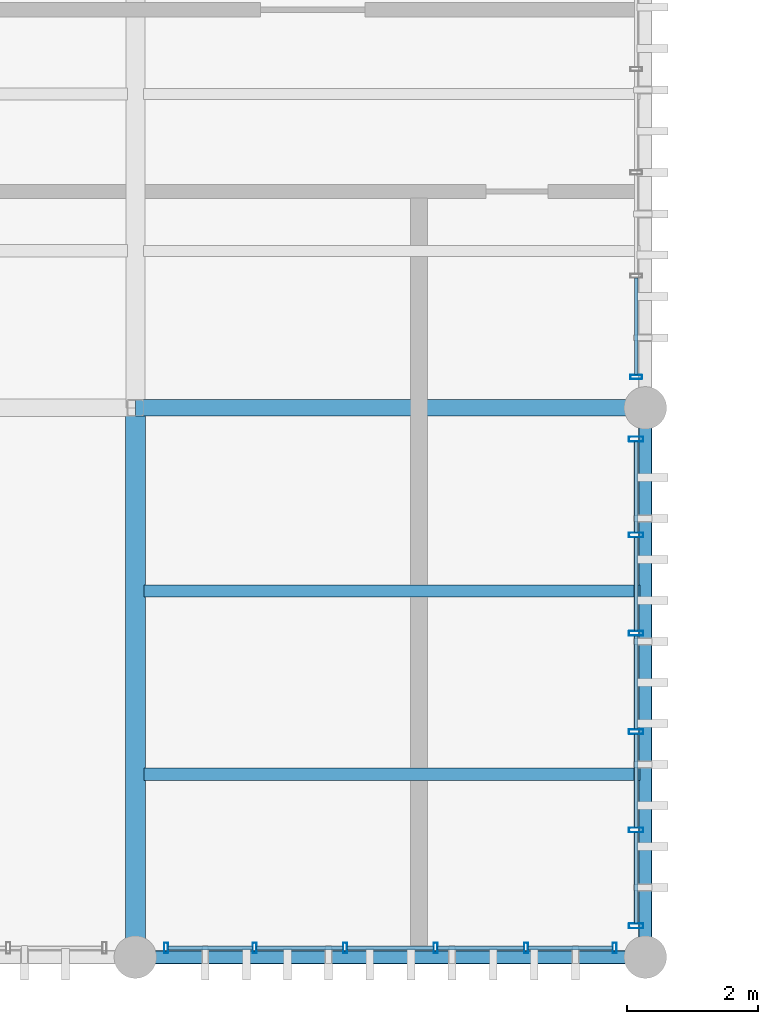
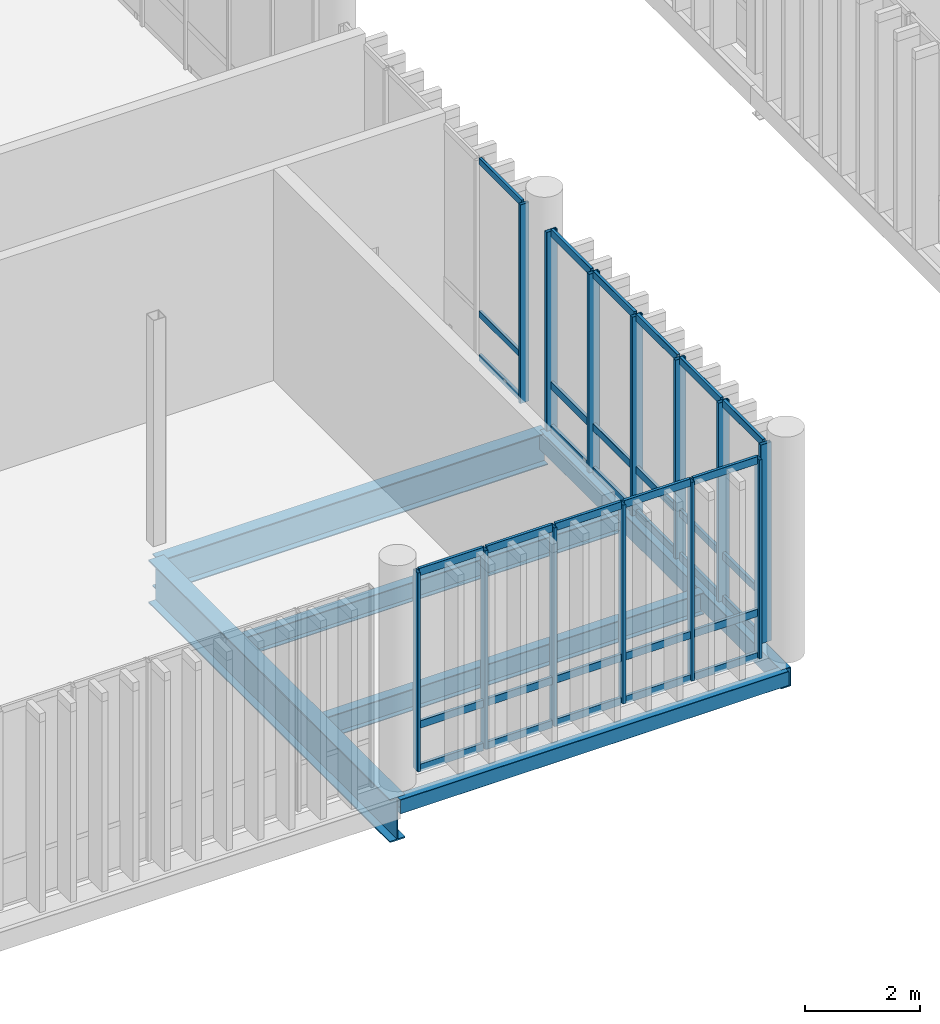
# One storey, part 20 of 86: 46 members, 6 beams, 3 elements without a shape of their own.
"""IFC4 building model written with IfcOpenShell, lengths in metres."""

from ifc_helpers import new_model, si_unit, direction, frame, origin_with_axes, origin_2d_with_axis, place, context, subcontext, project, spatial, hollow_rectangle, i_section, extrude, material, material_profile, profile_set, type_object, element, aggregate, save


model = new_model("IFC4")

# Units and contexts
model_context = context("Model", 3, precision=1e-05, world=origin_with_axes(), true_north=direction((0.0, 1.0)))
body_context = subcontext(model_context, "Body", "Model", "MODEL_VIEW")
ifc_project = project(units=[si_unit("LENGTHUNIT", "METRE"), si_unit("AREAUNIT", "SQUARE_METRE"), si_unit("VOLUMEUNIT", "CUBIC_METRE"), si_unit("PLANEANGLEUNIT", "RADIAN"), si_unit("MASSUNIT", "GRAM", prefix="KILO"), si_unit("THERMODYNAMICTEMPERATUREUNIT", "KELVIN")], contexts=[model_context])

# Site, building, storey
site_placement = place(None, origin_with_axes())
site = spatial("IfcSite", under=ifc_project, at=site_placement, CompositionType="ELEMENT")
building_placement = place(site_placement, origin_with_axes())
building = spatial("IfcBuilding", under=site, at=building_placement, Name="Montbau Bow Law Courts", CompositionType="ELEMENT")
storey_placement = place(building_placement, frame((0.0, 0.0, 29.7), z_axis=(0.0, 0.0, 1.0), x_axis=(1.0, 0.0, 0.0)))
storey = spatial("IfcBuildingStorey", under=building, at=storey_placement, Name="L06", CompositionType="ELEMENT", Elevation=29.7)

# Beams
ifc_material_1 = material(Name="Steel CSA G40.21 Grade 350W (350 MPa)", Category="steel")
ifc_material_profile_1 = material_profile(ifc_material_1, i_section(OverallWidth=0.306, OverallDepth=0.919, WebThickness=0.0173, FlangeThickness=0.0279, at=origin_2d_with_axis()), Name="W920X253", Category="Main", Priority=0)
ifc_profile_set_1 = profile_set([ifc_material_profile_1], Name="Steel CSA G40.21 Grade 350W (350 MPa)")
beam_type_1 = type_object("IfcBeamType", Name="B-FLR-01", PredefinedType="BEAM", material=ifc_profile_set_1)
beam_1_placement = place(None, frame((39.0, 30.6, 28.901), z_axis=(0.0, 1.0, 0.0), x_axis=(-1.0, 0.0, 0.0)))
element("IfcBeam", 1, at=beam_1_placement, inside=storey, type_object=beam_type_1, Name="BM-L06-S0705:bm2_0708", PredefinedType="BEAM", context=body_context, shape_type="SweptSolid", body=[
    extrude(i_section(OverallWidth=0.306, OverallDepth=0.919, WebThickness=0.0173, FlangeThickness=0.0279, at=origin_2d_with_axis()), origin_with_axes(), (0.0, 0.0, 1.0), 8.4),
])
ifc_material_profile_2 = material_profile(ifc_material_1, i_section(OverallWidth=0.254, OverallDepth=0.688, WebThickness=0.0131, FlangeThickness=0.0211, at=origin_2d_with_axis()), Name="W690X152", Category="Main", Priority=0)
ifc_profile_set_2 = profile_set([ifc_material_profile_2], Name="Steel CSA G40.21 Grade 350W (350 MPa)")
beam_type_2 = type_object("IfcBeamType", Name="B-FLR-04", PredefinedType="BEAM", material=ifc_profile_set_2)
beam_2_placement = place(None, frame((39.0, 39.0, 29.016), z_axis=(1.0, 0.0, 0.0), x_axis=(0.0, 1.0, 0.0)))
element("IfcBeam", 2, at=beam_2_placement, inside=storey, type_object=beam_type_2, Name="BM-L06-S0675:bm2_0678", PredefinedType="BEAM", context=body_context, shape_type="SweptSolid", body=[
    extrude(i_section(OverallWidth=0.254, OverallDepth=0.688, WebThickness=0.0131, FlangeThickness=0.0211, at=origin_2d_with_axis()), origin_with_axes(), (0.0, 0.0, 1.0), 7.8),
])
ifc_material_profile_3 = material_profile(ifc_material_1, i_section(OverallWidth=0.191, OverallDepth=0.46, WebThickness=0.0099, FlangeThickness=0.016, at=origin_2d_with_axis()), Name="W460X82", Category="Main", Priority=0)
ifc_profile_set_3 = profile_set([ifc_material_profile_3], Name="Steel CSA G40.21 Grade 350W (350 MPa)")
beam_type_3 = type_object("IfcBeamType", Name="B-JST-01", PredefinedType="JOIST", material=ifc_profile_set_3)
beam_3_placement = place(None, frame((39.129, 33.4, 29.13), z_axis=(1.0, 0.0, 0.0), x_axis=(0.0, 1.0, 0.0)))
element("IfcBeam", 3, at=beam_3_placement, inside=storey, type_object=beam_type_3, Name="JST-L06-S0352:jst2_0352", PredefinedType="JOIST", context=body_context, shape_type="SweptSolid", body=[
    extrude(i_section(OverallWidth=0.191, OverallDepth=0.46, WebThickness=0.0099, FlangeThickness=0.016, at=origin_2d_with_axis()), origin_with_axes(), (0.0, 0.0, 1.0), 7.591),
])
ifc_material_profile_4 = material_profile(ifc_material_1, i_section(OverallWidth=0.179, OverallDepth=0.41, WebThickness=0.0088, FlangeThickness=0.0144, at=origin_2d_with_axis()), Name="W410X67", Category="Main", Priority=0)
ifc_profile_set_4 = profile_set([ifc_material_profile_4], Name="Steel CSA G40.21 Grade 350W (350 MPa)")
beam_type_4 = type_object("IfcBeamType", Name="B-JST-02", PredefinedType="JOIST", material=ifc_profile_set_4)
beam_4_placement = place(None, frame((39.129, 36.2, 29.155), z_axis=(1.0, 0.0, 0.0), x_axis=(0.0, 1.0, 0.0)))
element("IfcBeam", 4, at=beam_4_placement, inside=storey, type_object=beam_type_4, Name="JST-L06-S0353:jst2_0353", PredefinedType="JOIST", context=body_context, shape_type="SweptSolid", body=[
    extrude(i_section(OverallWidth=0.179, OverallDepth=0.41, WebThickness=0.0088, FlangeThickness=0.0144, at=origin_2d_with_axis()), origin_with_axes(), (0.0, 0.0, 1.0), 7.591),
])
ifc_material_2 = material(Name="Steel CSA G40.21 Grade 350WT (350 MPa)", Category="steel")
ifc_material_profile_5 = material_profile(ifc_material_2, hollow_rectangle(XDim=0.203, YDim=0.406, WallThickness=0.0127, InnerFilletRadius=0.0254, OuterFilletRadius=0.0127, at=origin_2d_with_axis()), Name="HSS406X203X13", Category="Main", Priority=0)
ifc_profile_set_5 = profile_set([ifc_material_profile_5], Name="Steel CSA G40.21 Grade 350WT (350 MPa)")
beam_type_5 = type_object("IfcBeamType", Name="B-SPN-01", PredefinedType="SPANDREL", material=ifc_profile_set_5)
beam_5_placement = place(None, frame((46.8, 30.6, 29.157), z_axis=(0.0, 1.0, 0.0), x_axis=(-1.0, 0.0, 0.0)))
element("IfcBeam", 5, at=beam_5_placement, inside=storey, type_object=beam_type_5, Name="SPN-L06-S0709:bm2_0712", PredefinedType="SPANDREL", context=body_context, shape_type="SweptSolid", body=[
    extrude(hollow_rectangle(XDim=0.203, YDim=0.406, WallThickness=0.0127, InnerFilletRadius=0.0254, OuterFilletRadius=0.0127, at=origin_2d_with_axis()), origin_with_axes(), (0.0, 0.0, 1.0), 8.4),
])
ifc_material_profile_6 = material_profile(ifc_material_2, hollow_rectangle(XDim=0.203, YDim=0.305, WallThickness=0.0127, InnerFilletRadius=0.0254, OuterFilletRadius=0.0127, at=origin_2d_with_axis()), Name="HSS305X203X13", Category="Main", Priority=0)
ifc_profile_set_6 = profile_set([ifc_material_profile_6], Name="Steel CSA G40.21 Grade 350WT (350 MPa)")
beam_type_6 = type_object("IfcBeamType", Name="B-SPN-02", PredefinedType="SPANDREL", material=ifc_profile_set_6)
beam_6_placement = place(None, frame((39.0, 30.6, 29.207), z_axis=(1.0, 0.0, 0.0), x_axis=(0.0, 1.0, 0.0)))
element("IfcBeam", 6, at=beam_6_placement, inside=storey, type_object=beam_type_6, Name="SPN-L06-S0670:bm2_0673", PredefinedType="SPANDREL", context=body_context, shape_type="SweptSolid", body=[
    extrude(hollow_rectangle(XDim=0.203, YDim=0.305, WallThickness=0.0127, InnerFilletRadius=0.0254, OuterFilletRadius=0.0127, at=origin_2d_with_axis()), origin_with_axes(), (0.0, 0.0, 1.0), 7.8),
])

# Curtain wall, members
ifc_material_3 = material(Name="Thermally Broken Extruded Aluminium AA 6063-T6", Category="aluminium")
curtain_wall_type = type_object("IfcCurtainWallType", Name="CW-TRC-02", PredefinedType="NOTDEFINED", material=ifc_material_3)
curtain_wall_1_placement = place(None, frame((46.66, 31.04, 29.7), z_axis=(0.0, 0.0, 1.0), x_axis=(1.0, 0.0, 0.0)))
curtain_wall_1 = element("IfcCurtainWall", 7, at=curtain_wall_1_placement, inside=storey, type_object=curtain_wall_type, Name="CW-L06-108:cw_0108", PredefinedType="NOTDEFINED")
ifc_material_profile_7 = material_profile(ifc_material_3, hollow_rectangle(XDim=0.075, YDim=0.22, WallThickness=0.005, InnerFilletRadius=0.01, OuterFilletRadius=0.005, at=origin_2d_with_axis()), Name="CWM-220X75", Category="Main", Priority=0)
ifc_profile_set_7 = profile_set([ifc_material_profile_7], Name="Thermally Broken Extruded Aluminium AA 6063-T6")
member_type_1 = type_object("IfcMemberType", Name="M-MUL-01", PredefinedType="MULLION", material=ifc_profile_set_7)
member_1_placement = place(None, frame((46.66, 31.077, 29.7), z_axis=(0.0, 0.0, 1.0), x_axis=(0.0, 1.0, 0.0)))
member_1 = element("IfcMember", 8, at=member_1_placement, type_object=member_type_1, Name="CW-L06-108-M01:cw_0108_M01", PredefinedType="MULLION", context=body_context, shape_type="SweptSolid", body=[
    extrude(hollow_rectangle(XDim=0.075, YDim=0.22, WallThickness=0.005, InnerFilletRadius=0.01, OuterFilletRadius=0.005, at=origin_2d_with_axis()), origin_with_axes(), (0.0, 0.0, 1.0), 4.22),
])
member_2_placement = place(None, frame((46.66, 32.544, 29.7), z_axis=(0.0, 0.0, 1.0), x_axis=(0.0, 1.0, 0.0)))
member_2 = element("IfcMember", 9, at=member_2_placement, type_object=member_type_1, Name="CW-L06-108-M02:cw_0108_M02", PredefinedType="MULLION", context=body_context, shape_type="SweptSolid", body=[
    extrude(hollow_rectangle(XDim=0.075, YDim=0.22, WallThickness=0.005, InnerFilletRadius=0.01, OuterFilletRadius=0.005, at=origin_2d_with_axis()), origin_with_axes(), (0.0, 0.0, 1.0), 4.22),
])
member_3_placement = place(None, frame((46.66, 34.048, 29.7), z_axis=(0.0, 0.0, 1.0), x_axis=(0.0, 1.0, 0.0)))
member_3 = element("IfcMember", 10, at=member_3_placement, type_object=member_type_1, Name="CW-L06-108-M03:cw_0108_M03", PredefinedType="MULLION", context=body_context, shape_type="SweptSolid", body=[
    extrude(hollow_rectangle(XDim=0.075, YDim=0.22, WallThickness=0.005, InnerFilletRadius=0.01, OuterFilletRadius=0.005, at=origin_2d_with_axis()), origin_with_axes(), (0.0, 0.0, 1.0), 4.22),
])
member_4_placement = place(None, frame((46.66, 35.552, 29.7), z_axis=(0.0, 0.0, 1.0), x_axis=(0.0, 1.0, 0.0)))
member_4 = element("IfcMember", 11, at=member_4_placement, type_object=member_type_1, Name="CW-L06-108-M04:cw_0108_M04", PredefinedType="MULLION", context=body_context, shape_type="SweptSolid", body=[
    extrude(hollow_rectangle(XDim=0.075, YDim=0.22, WallThickness=0.005, InnerFilletRadius=0.01, OuterFilletRadius=0.005, at=origin_2d_with_axis()), origin_with_axes(), (0.0, 0.0, 1.0), 4.22),
])
member_5_placement = place(None, frame((46.66, 37.056, 29.7), z_axis=(0.0, 0.0, 1.0), x_axis=(0.0, 1.0, 0.0)))
member_5 = element("IfcMember", 12, at=member_5_placement, type_object=member_type_1, Name="CW-L06-108-M05:cw_0108_M05", PredefinedType="MULLION", context=body_context, shape_type="SweptSolid", body=[
    extrude(hollow_rectangle(XDim=0.075, YDim=0.22, WallThickness=0.005, InnerFilletRadius=0.01, OuterFilletRadius=0.005, at=origin_2d_with_axis()), origin_with_axes(), (0.0, 0.0, 1.0), 4.22),
])
member_6_placement = place(None, frame((46.66, 38.523, 29.7), z_axis=(0.0, 0.0, 1.0), x_axis=(0.0, 1.0, 0.0)))
member_6 = element("IfcMember", 13, at=member_6_placement, type_object=member_type_1, Name="CW-L06-108-M06:cw_0108_M06", PredefinedType="MULLION", context=body_context, shape_type="SweptSolid", body=[
    extrude(hollow_rectangle(XDim=0.075, YDim=0.22, WallThickness=0.005, InnerFilletRadius=0.01, OuterFilletRadius=0.005, at=origin_2d_with_axis()), origin_with_axes(), (0.0, 0.0, 1.0), 4.22),
])

# Curtain wall, member
curtain_wall_2_placement = place(None, frame((46.66, 39.44, 29.7), z_axis=(0.0, 0.0, 1.0), x_axis=(1.0, 0.0, 0.0)))
curtain_wall_2 = element("IfcCurtainWall", 14, at=curtain_wall_2_placement, inside=storey, type_object=curtain_wall_type, Name="CW-L06-109:cw_0109", PredefinedType="NOTDEFINED")
ifc_material_profile_8 = material_profile(ifc_material_3, hollow_rectangle(XDim=0.065, YDim=0.18, WallThickness=0.005, InnerFilletRadius=0.01, OuterFilletRadius=0.005, at=origin_2d_with_axis()), Name="CWM-180X65", Category="Main", Priority=0)
ifc_profile_set_8 = profile_set([ifc_material_profile_8], Name="Thermally Broken Extruded Aluminium AA 6063-T6")
member_type_2 = type_object("IfcMemberType", Name="M-MUL-02", PredefinedType="MULLION", material=ifc_profile_set_8)
member_7_placement = place(None, frame((46.66, 39.473, 29.7), z_axis=(0.0, 0.0, 1.0), x_axis=(0.0, 1.0, 0.0)))
member_7 = element("IfcMember", 15, at=member_7_placement, type_object=member_type_2, Name="CW-L06-109-M01:cw_0109_M01", PredefinedType="MULLION", context=body_context, shape_type="SweptSolid", body=[
    extrude(hollow_rectangle(XDim=0.065, YDim=0.18, WallThickness=0.005, InnerFilletRadius=0.01, OuterFilletRadius=0.005, at=origin_2d_with_axis()), origin_with_axes(), (0.0, 0.0, 1.0), 4.22),
])

# Curtain wall, members
curtain_wall_3_placement = place(None, frame((39.44, 30.74, 29.7), z_axis=(0.0, 0.0, 1.0), x_axis=(1.0, 0.0, 0.0)))
curtain_wall_3 = element("IfcCurtainWall", 16, at=curtain_wall_3_placement, inside=storey, type_object=curtain_wall_type, Name="CW-L06-098:cw_0098", PredefinedType="NOTDEFINED")
ifc_material_profile_9 = material_profile(ifc_material_3, hollow_rectangle(XDim=0.06, YDim=0.16, WallThickness=0.004, InnerFilletRadius=0.008, OuterFilletRadius=0.004, at=origin_2d_with_axis()), Name="CWM-160X60", Category="Main", Priority=0)
ifc_profile_set_9 = profile_set([ifc_material_profile_9], Name="Thermally Broken Extruded Aluminium AA 6063-T6")
member_type_3 = type_object("IfcMemberType", Name="M-MUL-03", PredefinedType="MULLION", material=ifc_profile_set_9)
member_8_placement = place(None, frame((39.47, 30.74, 29.7), z_axis=(0.0, 0.0, 1.0), x_axis=(1.0, 0.0, 0.0)))
member_8 = element("IfcMember", 17, at=member_8_placement, type_object=member_type_3, Name="CW-L06-098-M01:cw_0098_M01", PredefinedType="MULLION", context=body_context, shape_type="SweptSolid", body=[
    extrude(hollow_rectangle(XDim=0.06, YDim=0.16, WallThickness=0.004, InnerFilletRadius=0.008, OuterFilletRadius=0.004, at=origin_2d_with_axis()), origin_with_axes(), (0.0, 0.0, 1.0), 4.22),
])
member_9_placement = place(None, frame((40.824, 30.74, 29.7), z_axis=(0.0, 0.0, 1.0), x_axis=(1.0, 0.0, 0.0)))
member_9 = element("IfcMember", 18, at=member_9_placement, type_object=member_type_3, Name="CW-L06-098-M02:cw_0098_M02", PredefinedType="MULLION", context=body_context, shape_type="SweptSolid", body=[
    extrude(hollow_rectangle(XDim=0.06, YDim=0.16, WallThickness=0.004, InnerFilletRadius=0.008, OuterFilletRadius=0.004, at=origin_2d_with_axis()), origin_with_axes(), (0.0, 0.0, 1.0), 4.22),
])
member_10_placement = place(None, frame((42.208, 30.74, 29.7), z_axis=(0.0, 0.0, 1.0), x_axis=(1.0, 0.0, 0.0)))
member_10 = element("IfcMember", 19, at=member_10_placement, type_object=member_type_3, Name="CW-L06-098-M03:cw_0098_M03", PredefinedType="MULLION", context=body_context, shape_type="SweptSolid", body=[
    extrude(hollow_rectangle(XDim=0.06, YDim=0.16, WallThickness=0.004, InnerFilletRadius=0.008, OuterFilletRadius=0.004, at=origin_2d_with_axis()), origin_with_axes(), (0.0, 0.0, 1.0), 4.22),
])
member_11_placement = place(None, frame((43.592, 30.74, 29.7), z_axis=(0.0, 0.0, 1.0), x_axis=(1.0, 0.0, 0.0)))
member_11 = element("IfcMember", 20, at=member_11_placement, type_object=member_type_3, Name="CW-L06-098-M04:cw_0098_M04", PredefinedType="MULLION", context=body_context, shape_type="SweptSolid", body=[
    extrude(hollow_rectangle(XDim=0.06, YDim=0.16, WallThickness=0.004, InnerFilletRadius=0.008, OuterFilletRadius=0.004, at=origin_2d_with_axis()), origin_with_axes(), (0.0, 0.0, 1.0), 4.22),
])
member_12_placement = place(None, frame((44.976, 30.74, 29.7), z_axis=(0.0, 0.0, 1.0), x_axis=(1.0, 0.0, 0.0)))
member_12 = element("IfcMember", 21, at=member_12_placement, type_object=member_type_3, Name="CW-L06-098-M05:cw_0098_M05", PredefinedType="MULLION", context=body_context, shape_type="SweptSolid", body=[
    extrude(hollow_rectangle(XDim=0.06, YDim=0.16, WallThickness=0.004, InnerFilletRadius=0.008, OuterFilletRadius=0.004, at=origin_2d_with_axis()), origin_with_axes(), (0.0, 0.0, 1.0), 4.22),
])
member_13_placement = place(None, frame((46.33, 30.74, 29.7), z_axis=(0.0, 0.0, 1.0), x_axis=(1.0, 0.0, 0.0)))
member_13 = element("IfcMember", 22, at=member_13_placement, type_object=member_type_3, Name="CW-L06-098-M06:cw_0098_M06", PredefinedType="MULLION", context=body_context, shape_type="SweptSolid", body=[
    extrude(hollow_rectangle(XDim=0.06, YDim=0.16, WallThickness=0.004, InnerFilletRadius=0.008, OuterFilletRadius=0.004, at=origin_2d_with_axis()), origin_with_axes(), (0.0, 0.0, 1.0), 4.22),
])
ifc_material_profile_10 = material_profile(ifc_material_3, hollow_rectangle(XDim=0.06, YDim=0.16, WallThickness=0.004, InnerFilletRadius=0.008, OuterFilletRadius=0.004, at=origin_2d_with_axis()), Name="CWT-160X60", Category="Main", Priority=0)
ifc_profile_set_10 = profile_set([ifc_material_profile_10], Name="Thermally Broken Extruded Aluminium AA 6063-T6")
member_type_4 = type_object("IfcMemberType", Name="M-TRN-01", PredefinedType="USERDEFINED", material=ifc_profile_set_10)
member_14_placement = place(None, frame((39.502, 30.74, 29.73), z_axis=(1.0, 0.0, 0.0), x_axis=(0.0, 1.0, 0.0)))
member_14 = element("IfcMember", 23, at=member_14_placement, type_object=member_type_4, Name="CW-L06-098-T01-1:cw_0098_T01_1", ObjectType="TRANSOM", PredefinedType="USERDEFINED", context=body_context, shape_type="SweptSolid", body=[
    extrude(hollow_rectangle(XDim=0.06, YDim=0.16, WallThickness=0.004, InnerFilletRadius=0.008, OuterFilletRadius=0.004, at=origin_2d_with_axis()), origin_with_axes(), (0.0, 0.0, 1.0), 1.29),
])
member_15_placement = place(None, frame((39.502, 30.74, 30.65), z_axis=(1.0, 0.0, 0.0), x_axis=(0.0, 1.0, 0.0)))
member_15 = element("IfcMember", 24, at=member_15_placement, type_object=member_type_4, Name="CW-L06-098-T01-2:cw_0098_T01_2", ObjectType="TRANSOM", PredefinedType="USERDEFINED", context=body_context, shape_type="SweptSolid", body=[
    extrude(hollow_rectangle(XDim=0.06, YDim=0.16, WallThickness=0.004, InnerFilletRadius=0.008, OuterFilletRadius=0.004, at=origin_2d_with_axis()), origin_with_axes(), (0.0, 0.0, 1.0), 1.29),
])
member_16_placement = place(None, frame((39.502, 30.74, 33.89), z_axis=(1.0, 0.0, 0.0), x_axis=(0.0, 1.0, 0.0)))
member_16 = element("IfcMember", 25, at=member_16_placement, type_object=member_type_4, Name="CW-L06-098-T01-3:cw_0098_T01_3", ObjectType="TRANSOM", PredefinedType="USERDEFINED", context=body_context, shape_type="SweptSolid", body=[
    extrude(hollow_rectangle(XDim=0.06, YDim=0.16, WallThickness=0.004, InnerFilletRadius=0.008, OuterFilletRadius=0.004, at=origin_2d_with_axis()), origin_with_axes(), (0.0, 0.0, 1.0), 1.29),
])
member_17_placement = place(None, frame((40.856, 30.74, 29.73), z_axis=(1.0, 0.0, 0.0), x_axis=(0.0, 1.0, 0.0)))
member_17 = element("IfcMember", 26, at=member_17_placement, type_object=member_type_4, Name="CW-L06-098-T02-1:cw_0098_T02_1", ObjectType="TRANSOM", PredefinedType="USERDEFINED", context=body_context, shape_type="SweptSolid", body=[
    extrude(hollow_rectangle(XDim=0.06, YDim=0.16, WallThickness=0.004, InnerFilletRadius=0.008, OuterFilletRadius=0.004, at=origin_2d_with_axis()), origin_with_axes(), (0.0, 0.0, 1.0), 1.32),
])
member_18_placement = place(None, frame((40.856, 30.74, 30.65), z_axis=(1.0, 0.0, 0.0), x_axis=(0.0, 1.0, 0.0)))
member_18 = element("IfcMember", 27, at=member_18_placement, type_object=member_type_4, Name="CW-L06-098-T02-2:cw_0098_T02_2", ObjectType="TRANSOM", PredefinedType="USERDEFINED", context=body_context, shape_type="SweptSolid", body=[
    extrude(hollow_rectangle(XDim=0.06, YDim=0.16, WallThickness=0.004, InnerFilletRadius=0.008, OuterFilletRadius=0.004, at=origin_2d_with_axis()), origin_with_axes(), (0.0, 0.0, 1.0), 1.32),
])
member_19_placement = place(None, frame((40.856, 30.74, 33.89), z_axis=(1.0, 0.0, 0.0), x_axis=(0.0, 1.0, 0.0)))
member_19 = element("IfcMember", 28, at=member_19_placement, type_object=member_type_4, Name="CW-L06-098-T02-3:cw_0098_T02_3", ObjectType="TRANSOM", PredefinedType="USERDEFINED", context=body_context, shape_type="SweptSolid", body=[
    extrude(hollow_rectangle(XDim=0.06, YDim=0.16, WallThickness=0.004, InnerFilletRadius=0.008, OuterFilletRadius=0.004, at=origin_2d_with_axis()), origin_with_axes(), (0.0, 0.0, 1.0), 1.32),
])
member_20_placement = place(None, frame((42.24, 30.74, 29.73), z_axis=(1.0, 0.0, 0.0), x_axis=(0.0, 1.0, 0.0)))
member_20 = element("IfcMember", 29, at=member_20_placement, type_object=member_type_4, Name="CW-L06-098-T03-1:cw_0098_T03_1", ObjectType="TRANSOM", PredefinedType="USERDEFINED", context=body_context, shape_type="SweptSolid", body=[
    extrude(hollow_rectangle(XDim=0.06, YDim=0.16, WallThickness=0.004, InnerFilletRadius=0.008, OuterFilletRadius=0.004, at=origin_2d_with_axis()), origin_with_axes(), (0.0, 0.0, 1.0), 1.32),
])
member_21_placement = place(None, frame((42.24, 30.74, 30.65), z_axis=(1.0, 0.0, 0.0), x_axis=(0.0, 1.0, 0.0)))
member_21 = element("IfcMember", 30, at=member_21_placement, type_object=member_type_4, Name="CW-L06-098-T03-2:cw_0098_T03_2", ObjectType="TRANSOM", PredefinedType="USERDEFINED", context=body_context, shape_type="SweptSolid", body=[
    extrude(hollow_rectangle(XDim=0.06, YDim=0.16, WallThickness=0.004, InnerFilletRadius=0.008, OuterFilletRadius=0.004, at=origin_2d_with_axis()), origin_with_axes(), (0.0, 0.0, 1.0), 1.32),
])
member_22_placement = place(None, frame((42.24, 30.74, 33.89), z_axis=(1.0, 0.0, 0.0), x_axis=(0.0, 1.0, 0.0)))
member_22 = element("IfcMember", 31, at=member_22_placement, type_object=member_type_4, Name="CW-L06-098-T03-3:cw_0098_T03_3", ObjectType="TRANSOM", PredefinedType="USERDEFINED", context=body_context, shape_type="SweptSolid", body=[
    extrude(hollow_rectangle(XDim=0.06, YDim=0.16, WallThickness=0.004, InnerFilletRadius=0.008, OuterFilletRadius=0.004, at=origin_2d_with_axis()), origin_with_axes(), (0.0, 0.0, 1.0), 1.32),
])
member_23_placement = place(None, frame((43.624, 30.74, 29.73), z_axis=(1.0, 0.0, 0.0), x_axis=(0.0, 1.0, 0.0)))
member_23 = element("IfcMember", 32, at=member_23_placement, type_object=member_type_4, Name="CW-L06-098-T04-1:cw_0098_T04_1", ObjectType="TRANSOM", PredefinedType="USERDEFINED", context=body_context, shape_type="SweptSolid", body=[
    extrude(hollow_rectangle(XDim=0.06, YDim=0.16, WallThickness=0.004, InnerFilletRadius=0.008, OuterFilletRadius=0.004, at=origin_2d_with_axis()), origin_with_axes(), (0.0, 0.0, 1.0), 1.32),
])
member_24_placement = place(None, frame((43.624, 30.74, 30.65), z_axis=(1.0, 0.0, 0.0), x_axis=(0.0, 1.0, 0.0)))
member_24 = element("IfcMember", 33, at=member_24_placement, type_object=member_type_4, Name="CW-L06-098-T04-2:cw_0098_T04_2", ObjectType="TRANSOM", PredefinedType="USERDEFINED", context=body_context, shape_type="SweptSolid", body=[
    extrude(hollow_rectangle(XDim=0.06, YDim=0.16, WallThickness=0.004, InnerFilletRadius=0.008, OuterFilletRadius=0.004, at=origin_2d_with_axis()), origin_with_axes(), (0.0, 0.0, 1.0), 1.32),
])
member_25_placement = place(None, frame((43.624, 30.74, 33.89), z_axis=(1.0, 0.0, 0.0), x_axis=(0.0, 1.0, 0.0)))
member_25 = element("IfcMember", 34, at=member_25_placement, type_object=member_type_4, Name="CW-L06-098-T04-3:cw_0098_T04_3", ObjectType="TRANSOM", PredefinedType="USERDEFINED", context=body_context, shape_type="SweptSolid", body=[
    extrude(hollow_rectangle(XDim=0.06, YDim=0.16, WallThickness=0.004, InnerFilletRadius=0.008, OuterFilletRadius=0.004, at=origin_2d_with_axis()), origin_with_axes(), (0.0, 0.0, 1.0), 1.32),
])
member_26_placement = place(None, frame((45.008, 30.74, 29.73), z_axis=(1.0, 0.0, 0.0), x_axis=(0.0, 1.0, 0.0)))
member_26 = element("IfcMember", 35, at=member_26_placement, type_object=member_type_4, Name="CW-L06-098-T05-1:cw_0098_T05_1", ObjectType="TRANSOM", PredefinedType="USERDEFINED", context=body_context, shape_type="SweptSolid", body=[
    extrude(hollow_rectangle(XDim=0.06, YDim=0.16, WallThickness=0.004, InnerFilletRadius=0.008, OuterFilletRadius=0.004, at=origin_2d_with_axis()), origin_with_axes(), (0.0, 0.0, 1.0), 1.29),
])
member_27_placement = place(None, frame((45.008, 30.74, 30.65), z_axis=(1.0, 0.0, 0.0), x_axis=(0.0, 1.0, 0.0)))
member_27 = element("IfcMember", 36, at=member_27_placement, type_object=member_type_4, Name="CW-L06-098-T05-2:cw_0098_T05_2", ObjectType="TRANSOM", PredefinedType="USERDEFINED", context=body_context, shape_type="SweptSolid", body=[
    extrude(hollow_rectangle(XDim=0.06, YDim=0.16, WallThickness=0.004, InnerFilletRadius=0.008, OuterFilletRadius=0.004, at=origin_2d_with_axis()), origin_with_axes(), (0.0, 0.0, 1.0), 1.29),
])
member_28_placement = place(None, frame((45.008, 30.74, 33.89), z_axis=(1.0, 0.0, 0.0), x_axis=(0.0, 1.0, 0.0)))
member_28 = element("IfcMember", 37, at=member_28_placement, type_object=member_type_4, Name="CW-L06-098-T05-3:cw_0098_T05_3", ObjectType="TRANSOM", PredefinedType="USERDEFINED", context=body_context, shape_type="SweptSolid", body=[
    extrude(hollow_rectangle(XDim=0.06, YDim=0.16, WallThickness=0.004, InnerFilletRadius=0.008, OuterFilletRadius=0.004, at=origin_2d_with_axis()), origin_with_axes(), (0.0, 0.0, 1.0), 1.29),
])
aggregate(curtain_wall_3, [member_8, member_9, member_10, member_11, member_12, member_13, member_14, member_15, member_16, member_17, member_18, member_19, member_20, member_21, member_22, member_23, member_24, member_25, member_26, member_27, member_28])

# Member
member_29_placement = place(None, frame((46.66, 31.116, 29.73), z_axis=(0.0, 1.0, 0.0), x_axis=(-1.0, 0.0, 0.0)))
member_29 = element("IfcMember", 38, at=member_29_placement, type_object=member_type_4, Name="CW-L06-108-T01-1:cw_0108_T01_1", ObjectType="TRANSOM", PredefinedType="USERDEFINED", context=body_context, shape_type="SweptSolid", body=[
    extrude(hollow_rectangle(XDim=0.06, YDim=0.16, WallThickness=0.004, InnerFilletRadius=0.008, OuterFilletRadius=0.004, at=origin_2d_with_axis()), origin_with_axes(), (0.0, 0.0, 1.0), 1.388),
])

member_30_placement = place(None, frame((46.66, 31.116, 30.65), z_axis=(0.0, 1.0, 0.0), x_axis=(-1.0, 0.0, 0.0)))
member_30 = element("IfcMember", 39, at=member_30_placement, type_object=member_type_4, Name="CW-L06-108-T01-2:cw_0108_T01_2", ObjectType="TRANSOM", PredefinedType="USERDEFINED", context=body_context, shape_type="SweptSolid", body=[
    extrude(hollow_rectangle(XDim=0.06, YDim=0.16, WallThickness=0.004, InnerFilletRadius=0.008, OuterFilletRadius=0.004, at=origin_2d_with_axis()), origin_with_axes(), (0.0, 0.0, 1.0), 1.388),
])

member_31_placement = place(None, frame((46.66, 31.116, 33.89), z_axis=(0.0, 1.0, 0.0), x_axis=(-1.0, 0.0, 0.0)))
member_31 = element("IfcMember", 40, at=member_31_placement, type_object=member_type_4, Name="CW-L06-108-T01-3:cw_0108_T01_3", ObjectType="TRANSOM", PredefinedType="USERDEFINED", context=body_context, shape_type="SweptSolid", body=[
    extrude(hollow_rectangle(XDim=0.06, YDim=0.16, WallThickness=0.004, InnerFilletRadius=0.008, OuterFilletRadius=0.004, at=origin_2d_with_axis()), origin_with_axes(), (0.0, 0.0, 1.0), 1.388),
])

member_32_placement = place(None, frame((46.66, 32.584, 29.73), z_axis=(0.0, 1.0, 0.0), x_axis=(-1.0, 0.0, 0.0)))
member_32 = element("IfcMember", 41, at=member_32_placement, type_object=member_type_4, Name="CW-L06-108-T02-1:cw_0108_T02_1", ObjectType="TRANSOM", PredefinedType="USERDEFINED", context=body_context, shape_type="SweptSolid", body=[
    extrude(hollow_rectangle(XDim=0.06, YDim=0.16, WallThickness=0.004, InnerFilletRadius=0.008, OuterFilletRadius=0.004, at=origin_2d_with_axis()), origin_with_axes(), (0.0, 0.0, 1.0), 1.425),
])

member_33_placement = place(None, frame((46.66, 32.584, 30.65), z_axis=(0.0, 1.0, 0.0), x_axis=(-1.0, 0.0, 0.0)))
member_33 = element("IfcMember", 42, at=member_33_placement, type_object=member_type_4, Name="CW-L06-108-T02-2:cw_0108_T02_2", ObjectType="TRANSOM", PredefinedType="USERDEFINED", context=body_context, shape_type="SweptSolid", body=[
    extrude(hollow_rectangle(XDim=0.06, YDim=0.16, WallThickness=0.004, InnerFilletRadius=0.008, OuterFilletRadius=0.004, at=origin_2d_with_axis()), origin_with_axes(), (0.0, 0.0, 1.0), 1.425),
])

member_34_placement = place(None, frame((46.66, 32.584, 33.89), z_axis=(0.0, 1.0, 0.0), x_axis=(-1.0, 0.0, 0.0)))
member_34 = element("IfcMember", 43, at=member_34_placement, type_object=member_type_4, Name="CW-L06-108-T02-3:cw_0108_T02_3", ObjectType="TRANSOM", PredefinedType="USERDEFINED", context=body_context, shape_type="SweptSolid", body=[
    extrude(hollow_rectangle(XDim=0.06, YDim=0.16, WallThickness=0.004, InnerFilletRadius=0.008, OuterFilletRadius=0.004, at=origin_2d_with_axis()), origin_with_axes(), (0.0, 0.0, 1.0), 1.425),
])

member_35_placement = place(None, frame((46.66, 34.087, 29.73), z_axis=(0.0, 1.0, 0.0), x_axis=(-1.0, 0.0, 0.0)))
member_35 = element("IfcMember", 44, at=member_35_placement, type_object=member_type_4, Name="CW-L06-108-T03-1:cw_0108_T03_1", ObjectType="TRANSOM", PredefinedType="USERDEFINED", context=body_context, shape_type="SweptSolid", body=[
    extrude(hollow_rectangle(XDim=0.06, YDim=0.16, WallThickness=0.004, InnerFilletRadius=0.008, OuterFilletRadius=0.004, at=origin_2d_with_axis()), origin_with_axes(), (0.0, 0.0, 1.0), 1.426),
])

member_36_placement = place(None, frame((46.66, 34.087, 30.65), z_axis=(0.0, 1.0, 0.0), x_axis=(-1.0, 0.0, 0.0)))
member_36 = element("IfcMember", 45, at=member_36_placement, type_object=member_type_4, Name="CW-L06-108-T03-2:cw_0108_T03_2", ObjectType="TRANSOM", PredefinedType="USERDEFINED", context=body_context, shape_type="SweptSolid", body=[
    extrude(hollow_rectangle(XDim=0.06, YDim=0.16, WallThickness=0.004, InnerFilletRadius=0.008, OuterFilletRadius=0.004, at=origin_2d_with_axis()), origin_with_axes(), (0.0, 0.0, 1.0), 1.426),
])

member_37_placement = place(None, frame((46.66, 34.087, 33.89), z_axis=(0.0, 1.0, 0.0), x_axis=(-1.0, 0.0, 0.0)))
member_37 = element("IfcMember", 46, at=member_37_placement, type_object=member_type_4, Name="CW-L06-108-T03-3:cw_0108_T03_3", ObjectType="TRANSOM", PredefinedType="USERDEFINED", context=body_context, shape_type="SweptSolid", body=[
    extrude(hollow_rectangle(XDim=0.06, YDim=0.16, WallThickness=0.004, InnerFilletRadius=0.008, OuterFilletRadius=0.004, at=origin_2d_with_axis()), origin_with_axes(), (0.0, 0.0, 1.0), 1.426),
])

member_38_placement = place(None, frame((46.66, 35.591, 29.73), z_axis=(0.0, 1.0, 0.0), x_axis=(-1.0, 0.0, 0.0)))
member_38 = element("IfcMember", 47, at=member_38_placement, type_object=member_type_4, Name="CW-L06-108-T04-1:cw_0108_T04_1", ObjectType="TRANSOM", PredefinedType="USERDEFINED", context=body_context, shape_type="SweptSolid", body=[
    extrude(hollow_rectangle(XDim=0.06, YDim=0.16, WallThickness=0.004, InnerFilletRadius=0.008, OuterFilletRadius=0.004, at=origin_2d_with_axis()), origin_with_axes(), (0.0, 0.0, 1.0), 1.426),
])

member_39_placement = place(None, frame((46.66, 35.591, 30.65), z_axis=(0.0, 1.0, 0.0), x_axis=(-1.0, 0.0, 0.0)))
member_39 = element("IfcMember", 48, at=member_39_placement, type_object=member_type_4, Name="CW-L06-108-T04-2:cw_0108_T04_2", ObjectType="TRANSOM", PredefinedType="USERDEFINED", context=body_context, shape_type="SweptSolid", body=[
    extrude(hollow_rectangle(XDim=0.06, YDim=0.16, WallThickness=0.004, InnerFilletRadius=0.008, OuterFilletRadius=0.004, at=origin_2d_with_axis()), origin_with_axes(), (0.0, 0.0, 1.0), 1.426),
])

member_40_placement = place(None, frame((46.66, 35.591, 33.89), z_axis=(0.0, 1.0, 0.0), x_axis=(-1.0, 0.0, 0.0)))
member_40 = element("IfcMember", 49, at=member_40_placement, type_object=member_type_4, Name="CW-L06-108-T04-3:cw_0108_T04_3", ObjectType="TRANSOM", PredefinedType="USERDEFINED", context=body_context, shape_type="SweptSolid", body=[
    extrude(hollow_rectangle(XDim=0.06, YDim=0.16, WallThickness=0.004, InnerFilletRadius=0.008, OuterFilletRadius=0.004, at=origin_2d_with_axis()), origin_with_axes(), (0.0, 0.0, 1.0), 1.426),
])

member_41_placement = place(None, frame((46.66, 37.095, 29.73), z_axis=(0.0, 1.0, 0.0), x_axis=(-1.0, 0.0, 0.0)))
member_41 = element("IfcMember", 50, at=member_41_placement, type_object=member_type_4, Name="CW-L06-108-T05-1:cw_0108_T05_1", ObjectType="TRANSOM", PredefinedType="USERDEFINED", context=body_context, shape_type="SweptSolid", body=[
    extrude(hollow_rectangle(XDim=0.06, YDim=0.16, WallThickness=0.004, InnerFilletRadius=0.008, OuterFilletRadius=0.004, at=origin_2d_with_axis()), origin_with_axes(), (0.0, 0.0, 1.0), 1.389),
])

member_42_placement = place(None, frame((46.66, 37.095, 30.65), z_axis=(0.0, 1.0, 0.0), x_axis=(-1.0, 0.0, 0.0)))
member_42 = element("IfcMember", 51, at=member_42_placement, type_object=member_type_4, Name="CW-L06-108-T05-2:cw_0108_T05_2", ObjectType="TRANSOM", PredefinedType="USERDEFINED", context=body_context, shape_type="SweptSolid", body=[
    extrude(hollow_rectangle(XDim=0.06, YDim=0.16, WallThickness=0.004, InnerFilletRadius=0.008, OuterFilletRadius=0.004, at=origin_2d_with_axis()), origin_with_axes(), (0.0, 0.0, 1.0), 1.389),
])

member_43_placement = place(None, frame((46.66, 37.095, 33.89), z_axis=(0.0, 1.0, 0.0), x_axis=(-1.0, 0.0, 0.0)))
member_43 = element("IfcMember", 52, at=member_43_placement, type_object=member_type_4, Name="CW-L06-108-T05-3:cw_0108_T05_3", ObjectType="TRANSOM", PredefinedType="USERDEFINED", context=body_context, shape_type="SweptSolid", body=[
    extrude(hollow_rectangle(XDim=0.06, YDim=0.16, WallThickness=0.004, InnerFilletRadius=0.008, OuterFilletRadius=0.004, at=origin_2d_with_axis()), origin_with_axes(), (0.0, 0.0, 1.0), 1.389),
])

aggregate(curtain_wall_1, [member_1, member_2, member_3, member_4, member_5, member_6, member_29, member_30, member_31, member_32, member_33, member_34, member_35, member_36, member_37, member_38, member_39, member_40, member_41, member_42, member_43])

ifc_material_profile_11 = material_profile(ifc_material_3, hollow_rectangle(XDim=0.055, YDim=0.14, WallThickness=0.004, InnerFilletRadius=0.008, OuterFilletRadius=0.004, at=origin_2d_with_axis()), Name="CWT-140X55", Category="Main", Priority=0)
ifc_profile_set_11 = profile_set([ifc_material_profile_11], Name="Thermally Broken Extruded Aluminium AA 6063-T6")
member_type_5 = type_object("IfcMemberType", Name="M-TRN-02", PredefinedType="USERDEFINED", material=ifc_profile_set_11)
member_44_placement = place(None, frame((46.66, 39.508, 29.727), z_axis=(0.0, 1.0, 0.0), x_axis=(-1.0, 0.0, 0.0)))
member_44 = element("IfcMember", 53, at=member_44_placement, type_object=member_type_5, Name="CW-L06-109-T01-1:cw_0109_T01_1", ObjectType="TRANSOM", PredefinedType="USERDEFINED", context=body_context, shape_type="SweptSolid", body=[
    extrude(hollow_rectangle(XDim=0.055, YDim=0.14, WallThickness=0.004, InnerFilletRadius=0.008, OuterFilletRadius=0.004, at=origin_2d_with_axis()), origin_with_axes(), (0.0, 0.0, 1.0), 1.478),
])

member_45_placement = place(None, frame((46.66, 39.508, 30.65), z_axis=(0.0, 1.0, 0.0), x_axis=(-1.0, 0.0, 0.0)))
member_45 = element("IfcMember", 54, at=member_45_placement, type_object=member_type_5, Name="CW-L06-109-T01-2:cw_0109_T01_2", ObjectType="TRANSOM", PredefinedType="USERDEFINED", context=body_context, shape_type="SweptSolid", body=[
    extrude(hollow_rectangle(XDim=0.055, YDim=0.14, WallThickness=0.004, InnerFilletRadius=0.008, OuterFilletRadius=0.004, at=origin_2d_with_axis()), origin_with_axes(), (0.0, 0.0, 1.0), 1.478),
])

member_46_placement = place(None, frame((46.66, 39.508, 33.892), z_axis=(0.0, 1.0, 0.0), x_axis=(-1.0, 0.0, 0.0)))
member_46 = element("IfcMember", 55, at=member_46_placement, type_object=member_type_5, Name="CW-L06-109-T01-3:cw_0109_T01_3", ObjectType="TRANSOM", PredefinedType="USERDEFINED", context=body_context, shape_type="SweptSolid", body=[
    extrude(hollow_rectangle(XDim=0.055, YDim=0.14, WallThickness=0.004, InnerFilletRadius=0.008, OuterFilletRadius=0.004, at=origin_2d_with_axis()), origin_with_axes(), (0.0, 0.0, 1.0), 1.478),
])

aggregate(curtain_wall_2, [member_7, member_44, member_45, member_46])

save(model, "model.ifc")
